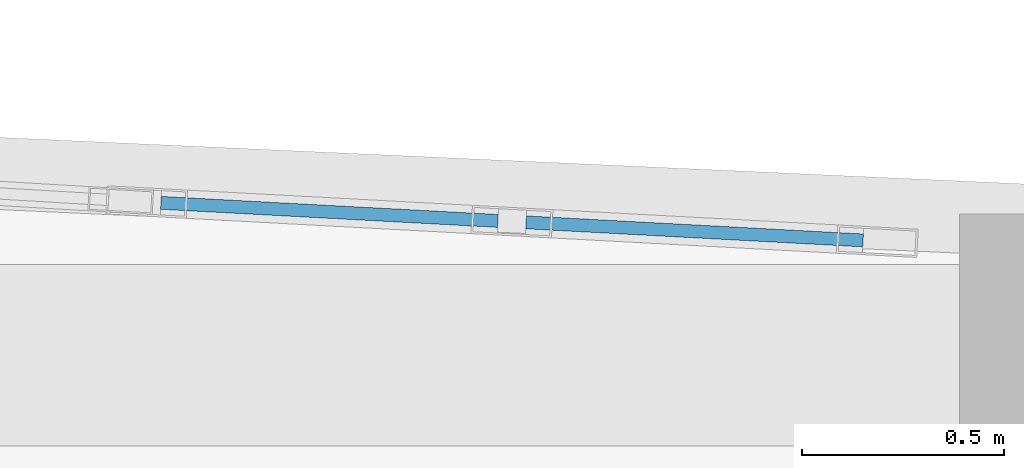
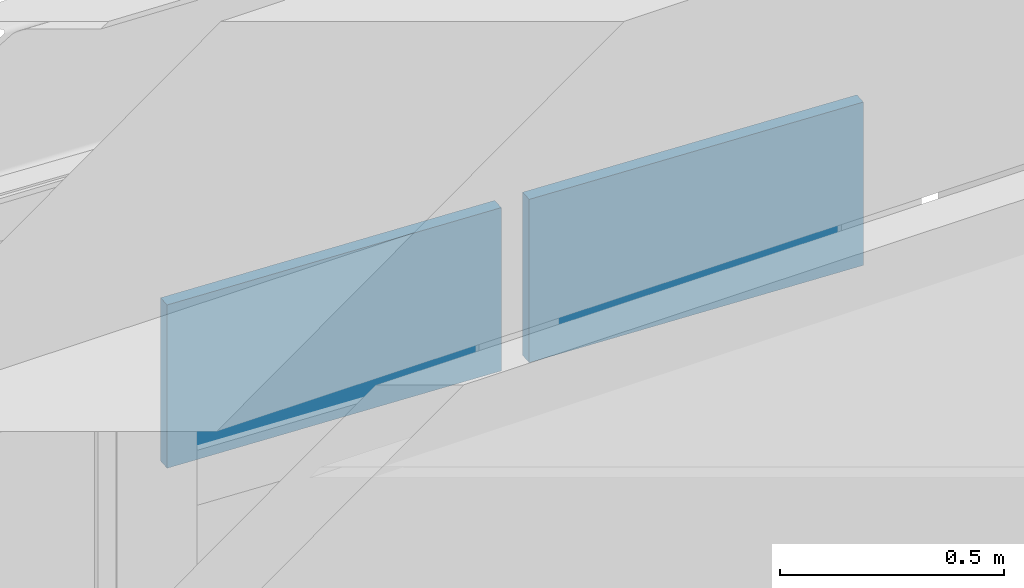
# One storey, part 85 of 117: 2 plates, 1 element without a shape of its own.
"""IFC4 building model written with IfcOpenShell, lengths in metres."""

from ifc_helpers import new_model, si_unit, direction, frame, origin, origin_2d, place, context, subcontext, project, spatial, rectangle, extrude, material, layer, layer_set, type_object, element, aggregate, save


model = new_model("IFC4")

# Units and contexts
model_context = context("Model", 3, precision=1e-05, world=origin(), true_north=direction((0.0, 1.0)))
body_context = subcontext(model_context, "Body", "Model", "MODEL_VIEW")
ifc_project = project(units=[si_unit("LENGTHUNIT", "METRE"), si_unit("AREAUNIT", "SQUARE_METRE"), si_unit("VOLUMEUNIT", "CUBIC_METRE"), si_unit("PLANEANGLEUNIT", "RADIAN"), si_unit("MASSUNIT", "GRAM", prefix="KILO")], contexts=[model_context])

# Site, building, storey
site_placement = place(None, origin())
site = spatial("IfcSite", under=ifc_project, at=site_placement, CompositionType="ELEMENT")
building_placement = place(site_placement, origin())
building = spatial("IfcBuilding", under=site, at=building_placement, Name="Carrowvane Square Congress Hotel", CompositionType="ELEMENT")
storey_placement = place(building_placement, frame((0.0, 0.0, 5.39990234375)))
storey = spatial("IfcBuildingStorey", under=building, at=storey_placement, Name="L01", CompositionType="ELEMENT", Elevation=5.39990234375)

# Curtain wall, plates
ifc_material_1 = material(Name="Anodised aluminium", Category="aluminium")
ifc_layer_1 = layer(ifc_material_1, 0.24609375)
ifc_layer_set_1 = layer_set([ifc_layer_1], Name="Anodised aluminium")
curtain_wall_type = type_object("IfcCurtainWallType", Name="CW-SYS-8", PredefinedType="NOTDEFINED", material=ifc_layer_set_1)
curtain_wall_placement = place(storey_placement, origin())
curtain_wall = element("IfcCurtainWall", 1, at=curtain_wall_placement, inside=storey, type_object=curtain_wall_type, Name="L01 unitised curtain wall 111", PredefinedType="NOTDEFINED")
ifc_material_2 = material(Name="Double-glazed low-E glass", Category="glass")
ifc_layer_2 = layer(ifc_material_2, 0.031982421875)
ifc_layer_set_2 = layer_set([ifc_layer_2], Name="Double-glazed low-E glass")
plate_type = type_object("IfcPlateType", Name="CW-PAN-2", PredefinedType="CURTAIN_PANEL", material=ifc_layer_set_2)
plate_1_placement = place(storey_placement, frame((153.687744140625, 113.755126953125, 3.5), z_axis=(0.0, 0.0, 1.0), x_axis=(0.99856693693, -0.053517029722, 0.0)))
plate_1 = element("IfcPlate", 2, at=plate_1_placement, type_object=plate_type, Name="CW-8 panel 1.3", PredefinedType="CURTAIN_PANEL", context=body_context, shape_type="SweptSolid", body=[
    extrude(rectangle(XDim=0.8369140625, YDim=0.031982421875, at=origin_2d()), origin(), (0.0, 0.0, 1.0), 0.445068359375),
])
plate_2_placement = place(storey_placement, frame((154.59326171875, 113.706787109375, 3.5), z_axis=(0.0, 0.0, 1.0), x_axis=(0.99856693693, -0.053517029722, 0.0)))
plate_2 = element("IfcPlate", 3, at=plate_2_placement, type_object=plate_type, Name="CW-8 panel 2.3", PredefinedType="CURTAIN_PANEL", context=body_context, shape_type="SweptSolid", body=[
    extrude(rectangle(XDim=0.8369140625, YDim=0.031982421875, at=origin_2d()), origin(), (0.0, 0.0, 1.0), 0.445068359375),
])
aggregate(curtain_wall, [plate_1, plate_2])

save(model, "model.ifc")
